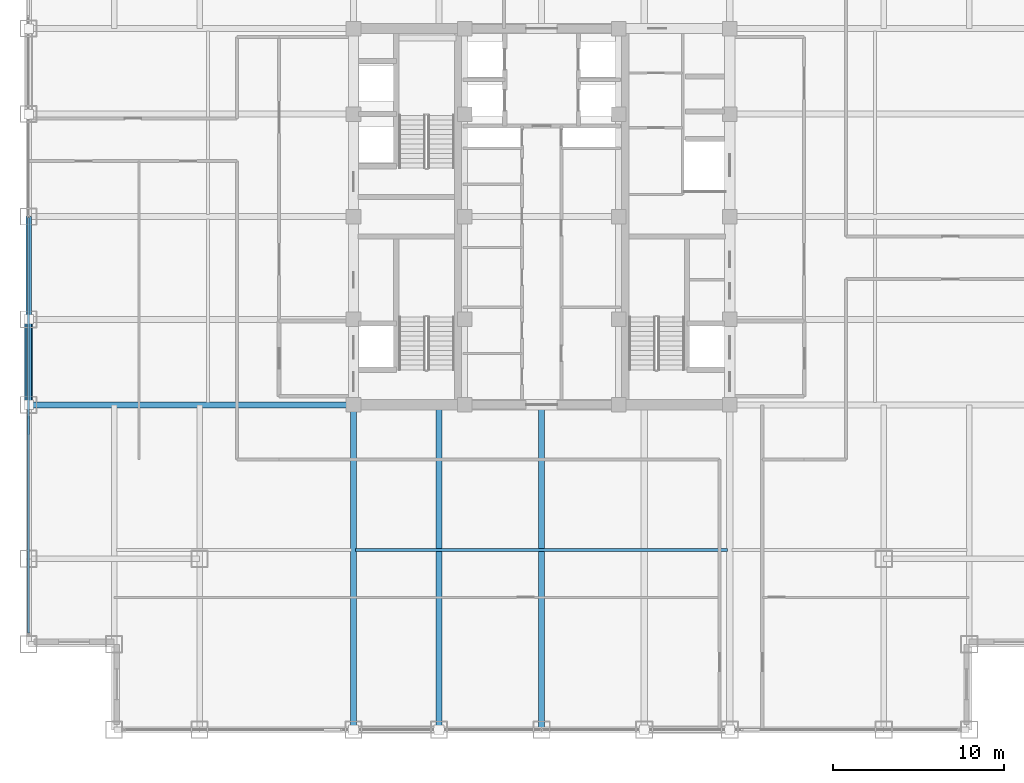
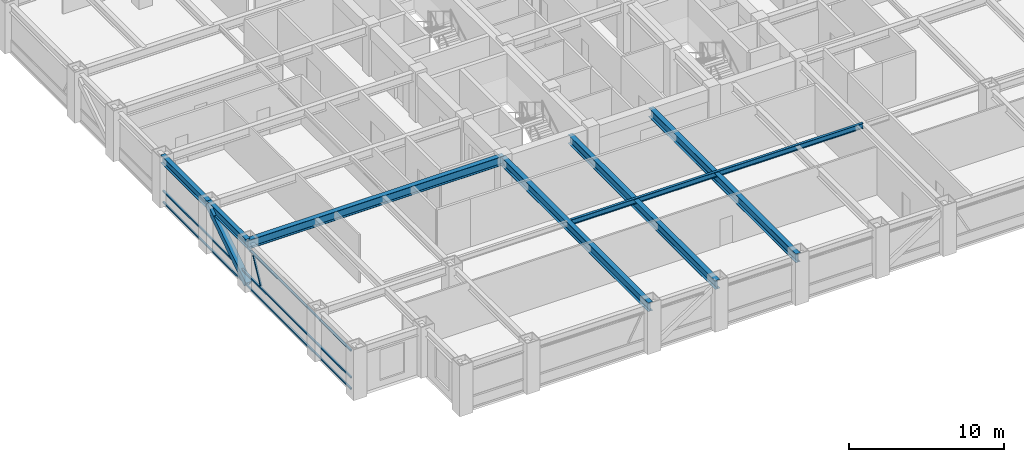
# One storey, part 5 of 24: 7 beams, 5 members, 1 element without a shape of its own.
"""IFC4 building model written with IfcOpenShell, lengths in metres."""

from ifc_helpers import new_model, si_unit, direction, frame, origin, origin_2d, place, context, subcontext, project, spatial, hollow_rectangle, i_section, extrude, source, transform, mapped, material, material_profile, profile_set, type_object, element, aggregate, save


model = new_model("IFC4")

# Units and contexts
model_context = context("Model", 3, precision=1e-05, world=origin(), true_north=direction((0.0, 1.0)))
body_context = subcontext(model_context, "Body", "Model", "MODEL_VIEW")
ifc_project = project(units=[si_unit("LENGTHUNIT", "METRE"), si_unit("AREAUNIT", "SQUARE_METRE"), si_unit("VOLUMEUNIT", "CUBIC_METRE"), si_unit("PLANEANGLEUNIT", "RADIAN"), si_unit("MASSUNIT", "GRAM", prefix="KILO")], contexts=[model_context])

# Site, building, storey
site_placement = place(None, origin())
site = spatial("IfcSite", under=ifc_project, at=site_placement, CompositionType="ELEMENT")
building_placement = place(site_placement, origin())
building = spatial("IfcBuilding", under=site, at=building_placement, Name="Khorayat Bourse Tower", CompositionType="ELEMENT")
storey_placement = place(building_placement, frame((0.0, 0.0, 259.10009765625)))
storey = spatial("IfcBuildingStorey", under=building, at=storey_placement, Name="L61", CompositionType="ELEMENT", Elevation=259.10009765625)

# Beams
ifc_material_1 = material(Name="Steel ASTM A992 Grade 50", Category="steel")
ifc_material_profile_1 = material_profile(ifc_material_1, i_section(OverallWidth=0.180908203125, OverallDepth=0.4169921875, WebThickness=0.010986328125, FlangeThickness=0.018310546875, FilletRadius=0.011962890625, at=origin_2d()), Name="W410X85")
ifc_profile_set_1 = profile_set([ifc_material_profile_1], Name="Steel ASTM A992 Grade 50")
beam_type_1 = type_object("IfcBeamType", Name="BM-JOIST-410", PredefinedType="JOIST", material=ifc_profile_set_1)
shared_shape_1 = source(origin(), body_context, "Body", "SweptSolid", [
    extrude(i_section(OverallWidth=0.180908203125, OverallDepth=0.4169921875, WebThickness=0.010986328125, FlangeThickness=0.018310546875, FilletRadius=0.011962890625, at=origin_2d()), origin(), (0.0, 0.0, 1.0), 21.740234375),
])
beam_1_placement = place(storey_placement, frame((-10.8701171875, -19.5, 3.5712890625), z_axis=(1.0, 0.0, 0.0), x_axis=(0.0, 1.0, 0.0)))
element("IfcBeam", 1, at=beam_1_placement, inside=storey, type_object=beam_type_1, Name="L61 BM-JOIST-410 BM-L61-JSTX-097", PredefinedType="JOIST", context=body_context, shape_type="MappedRepresentation", body=[
    mapped(shared_shape_1, transform((0.0, 0.0, 0.0), scale=1.0)),
])
ifc_material_profile_2 = material_profile(ifc_material_1, i_section(OverallWidth=0.324951171875, OverallDepth=0.615966796875, WebThickness=0.013916015625, FlangeThickness=0.021484375, FilletRadius=0.01611328125, at=origin_2d()), Name="W610X174")
ifc_profile_set_2 = profile_set([ifc_material_profile_2], Name="Steel ASTM A992 Grade 50")
beam_type_2 = type_object("IfcBeamType", Name="BM-SPAN-610", PredefinedType="SPANDREL", material=ifc_profile_set_2)
shared_shape_2 = source(origin(), body_context, "Body", "SweptSolid", [
    extrude(i_section(OverallWidth=0.324951171875, OverallDepth=0.615966796875, WebThickness=0.013916015625, FlangeThickness=0.021484375, FilletRadius=0.01611328125, at=origin_2d()), origin(), (0.0, 0.0, 1.0), 5.0),
])
beam_2_placement = place(storey_placement, frame((-30.0, -11.0, 3.471923828125), z_axis=(0.0, 1.0, 0.0), x_axis=(-1.0, 0.0, 0.0)))
element("IfcBeam", 2, at=beam_2_placement, inside=storey, type_object=beam_type_2, Name="L61 BM-SPAN-610 BM-L61-SPN-059", PredefinedType="SPANDREL", context=body_context, shape_type="MappedRepresentation", body=[
    mapped(shared_shape_2, transform((0.0, 0.0, 0.0), scale=1.0)),
])
shared_shape_3 = source(origin(), body_context, "Body", "SweptSolid", [
    extrude(i_section(OverallWidth=0.324951171875, OverallDepth=0.615966796875, WebThickness=0.013916015625, FlangeThickness=0.021484375, FilletRadius=0.01611328125, at=origin_2d()), origin(), (0.0, 0.0, 1.0), 6.0),
])
beam_3_placement = place(storey_placement, frame((-30.0, -6.0, 3.471923828125), z_axis=(0.0, 1.0, 0.0), x_axis=(-1.0, 0.0, 0.0)))
element("IfcBeam", 3, at=beam_3_placement, inside=storey, type_object=beam_type_2, Name="L61 BM-SPAN-610 BM-L61-SPN-058", PredefinedType="SPANDREL", context=body_context, shape_type="MappedRepresentation", body=[
    mapped(shared_shape_3, transform((0.0, 0.0, 0.0), scale=1.0)),
])
ifc_material_profile_3 = material_profile(ifc_material_1, i_section(OverallWidth=0.35498046875, OverallDepth=0.695068359375, WebThickness=0.015380859375, FlangeThickness=0.02490234375, FilletRadius=0.01806640625, at=origin_2d()), Name="W690X217")
ifc_profile_set_3 = profile_set([ifc_material_profile_3], Name="Steel ASTM A992 Grade 50")
beam_type_3 = type_object("IfcBeamType", Name="BM-GIRD-690", PredefinedType="BEAM", material=ifc_profile_set_3)
shared_shape_4 = source(origin(), body_context, "Body", "SweptSolid", [
    extrude(i_section(OverallWidth=0.35498046875, OverallDepth=0.695068359375, WebThickness=0.015380859375, FlangeThickness=0.02490234375, FilletRadius=0.01806640625, at=origin_2d()), origin(), (0.0, 0.0, 1.0), 19.0),
])
for number, where, z_axis, x_axis, name in (
    (4, (-11.0, -30.0, 3.3125), (0.0, 1.0, 0.0), (-1.0, 0.0, 0.0), "L61 BM-GIRD-690 BM-L61-RADY-065"),
    (5, (-6.0, -30.0, 3.3125), (0.0, 1.0, 0.0), (-1.0, 0.0, 0.0), "L61 BM-GIRD-690 BM-L61-RADY-067"),
    (6, (0.0, -30.0, 3.3125), (0.0, 1.0, 0.0), (-1.0, 0.0, 0.0), "L61 BM-GIRD-690 BM-L61-RADY-069"),
    (7, (-30.0, -11.0, 3.432373046875), (1.0, 0.0, 0.0), (0.0, 1.0, 0.0), "L61 BM-GIRD-690 BM-L61-RADX-075"),
):
    element("IfcBeam", number, at=place(storey_placement, frame(where, z_axis=z_axis, x_axis=x_axis)), inside=storey, type_object=beam_type_3, Name=name, PredefinedType="BEAM", context=body_context, shape_type="MappedRepresentation", body=[
        mapped(shared_shape_4, transform((0.0, 0.0, 0.0), scale=1.0)),
    ])

# Member
ifc_material_2 = material(Name="Steel EN 10025-4 S460M", Category="steel")
ifc_material_profile_4 = material_profile(ifc_material_2, hollow_rectangle(XDim=0.449951171875, YDim=0.449951171875, WallThickness=0.02490234375, at=origin_2d()), Name="HSS 450x450x25")
ifc_profile_set_4 = profile_set([ifc_material_profile_4], Name="Steel EN 10025-4 S460M")
member_type_1 = type_object("IfcMemberType", Name="MBR-TUBE-450", PredefinedType="BRACE", material=ifc_profile_set_4)
shared_shape_5 = source(origin(), body_context, "Body", "SweptSolid", [
    extrude(hollow_rectangle(XDim=0.449951171875, YDim=0.449951171875, WallThickness=0.02490234375, at=origin_2d()), origin(), (0.0, 0.0, 1.0), 5.979736328125),
])
member_1_placement = place(storey_placement, frame((-30.0, -11.0, 0.25), z_axis=(0.0, 0.836160261256, 0.548485202623), x_axis=(-1.0, 0.0, 0.0)))
element("IfcMember", 8, at=member_1_placement, inside=storey, type_object=member_type_1, Name="L61 Perimeter Tube Brace 05", PredefinedType="BRACE", context=body_context, shape_type="MappedRepresentation", body=[
    mapped(shared_shape_5, transform((0.0, 0.0, 0.0), scale=1.0)),
])

# Curtain wall, members
ifc_material_3 = material(Name="Aluminium EN AW-6063 T6", Category="aluminium")
curtain_wall_type = type_object("IfcCurtainWallType", Name="CW-SYS-03", PredefinedType="NOTDEFINED", material=ifc_material_3)
curtain_wall_placement = place(storey_placement, origin())
curtain_wall = element("IfcCurtainWall", 9, at=curtain_wall_placement, inside=storey, type_object=curtain_wall_type, Name="L61 Curtain Wall CW-L61-W1", PredefinedType="NOTDEFINED")
ifc_material_profile_5 = material_profile(ifc_material_3, hollow_rectangle(XDim=0.1201171875, YDim=0.1201171875, WallThickness=0.0048828125, at=origin_2d()), Name="ALU 120x120x5")
ifc_profile_set_5 = profile_set([ifc_material_profile_5], Name="Aluminium EN AW-6063 T6")
member_type_2 = type_object("IfcMemberType", Name="CWM-DIAG-120", PredefinedType="MULLION", material=ifc_profile_set_5)
shared_shape_6 = source(origin(), body_context, "Body", "SweptSolid", [
    extrude(hollow_rectangle(XDim=0.1201171875, YDim=0.1201171875, WallThickness=0.0048828125, at=origin_2d()), origin(), (0.0, 0.0, 1.0), 2.079345703125),
])
member_2_placement = place(storey_placement, frame((-30.0, -12.67919921875, 1.08984375), z_axis=(0.0, 0.465760949701, 0.884910581773), x_axis=(-1.0, 0.0, 0.0)))
member_2 = element("IfcMember", 10, at=member_2_placement, type_object=member_type_2, Name="CW-L61-W1 Faceted Diagonal Mullion 1", PredefinedType="MULLION", context=body_context, shape_type="MappedRepresentation", body=[
    mapped(shared_shape_6, transform((0.0, 0.0, 0.0), scale=1.0)),
])
ifc_material_profile_6 = material_profile(ifc_material_3, hollow_rectangle(XDim=0.1201171875, YDim=0.1201171875, WallThickness=0.0048828125, at=origin_2d()), Name="ALU 120x120x5")
ifc_profile_set_6 = profile_set([ifc_material_profile_6], Name="Aluminium EN AW-6063 T6")
member_type_3 = type_object("IfcMemberType", Name="CWT-HORZ-120", PredefinedType="USERDEFINED", material=ifc_profile_set_6)
shared_shape_7 = source(origin(), body_context, "Body", "SweptSolid", [
    extrude(hollow_rectangle(XDim=0.1201171875, YDim=0.1201171875, WallThickness=0.0048828125, at=origin_2d()), origin(), (0.0, 0.0, 1.0), 24.27001953125),
])
member_3_placement = place(storey_placement, frame((-30.0, -24.330078125, 0.059814453125), z_axis=(0.0, 1.0, 0.0), x_axis=(-1.0, 0.0, 0.0)))
member_3 = element("IfcMember", 11, at=member_3_placement, type_object=member_type_3, Name="CW-L61-W1 Horizontal Transom 1-1", ObjectType="TRANSOM", PredefinedType="USERDEFINED", context=body_context, shape_type="MappedRepresentation", body=[
    mapped(shared_shape_7, transform((0.0, 0.0, 0.0), scale=1.0)),
])
member_4_placement = place(storey_placement, frame((-30.0, -24.330078125, 0.949951171875), z_axis=(0.0, 1.0, 0.0), x_axis=(-1.0, 0.0, 0.0)))
member_4 = element("IfcMember", 12, at=member_4_placement, type_object=member_type_3, Name="CW-L61-W1 Horizontal Transom 1-2", ObjectType="TRANSOM", PredefinedType="USERDEFINED", context=body_context, shape_type="MappedRepresentation", body=[
    mapped(shared_shape_7, transform((0.0, 0.0, 0.0), scale=1.0)),
])
member_5_placement = place(storey_placement, frame((-30.0, -24.330078125, 3.06982421875), z_axis=(0.0, 1.0, 0.0), x_axis=(-1.0, 0.0, 0.0)))
member_5 = element("IfcMember", 13, at=member_5_placement, type_object=member_type_3, Name="CW-L61-W1 Horizontal Transom 1-3", ObjectType="TRANSOM", PredefinedType="USERDEFINED", context=body_context, shape_type="MappedRepresentation", body=[
    mapped(shared_shape_7, transform((0.0, 0.0, 0.0), scale=1.0)),
])
aggregate(curtain_wall, [member_3, member_4, member_5, member_2])

save(model, "model.ifc")
